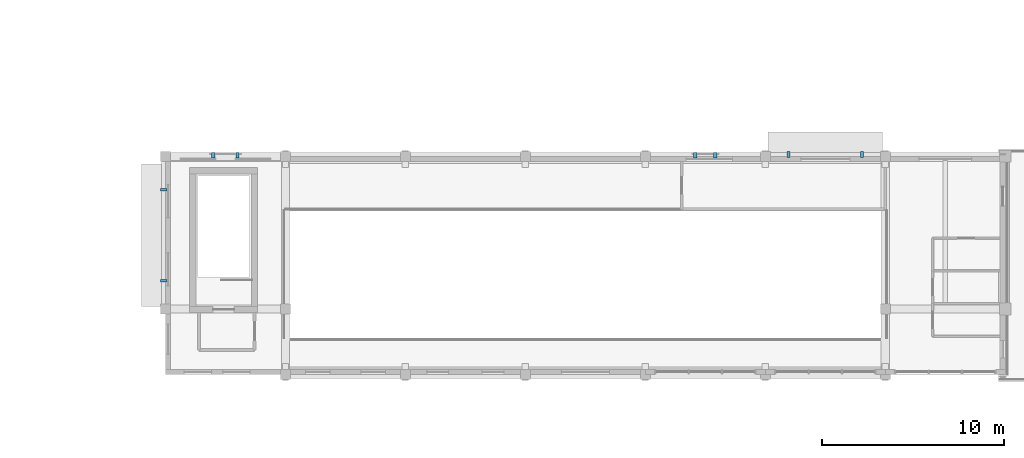
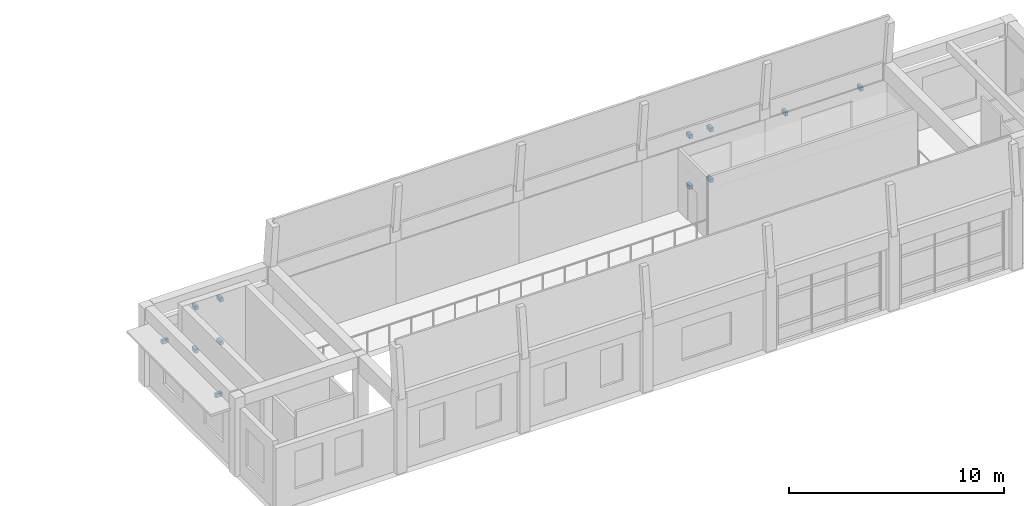
# One storey, part 39 of 50: 12 discrete accessories.
"""IFC4 building model written with IfcOpenShell, lengths in metres."""

from ifc_helpers import new_model, si_unit, direction, frame, origin, origin_2d, place, context, subcontext, project, spatial, rectangle, extrude, material, type_object, element, save


model = new_model("IFC4")

# Units and contexts
model_context = context("Model", 3, precision=1e-05, world=origin(), true_north=direction((0.0, 1.0)))
body_context = subcontext(model_context, "Body", "Model", "MODEL_VIEW")
ifc_project = project(units=[si_unit("LENGTHUNIT", "METRE"), si_unit("AREAUNIT", "SQUARE_METRE"), si_unit("VOLUMEUNIT", "CUBIC_METRE"), si_unit("PLANEANGLEUNIT", "RADIAN"), si_unit("MASSUNIT", "GRAM", prefix="KILO")], contexts=[model_context])

# Site, building, storey
site_placement = place(None, origin())
site = spatial("IfcSite", under=ifc_project, at=site_placement, CompositionType="ELEMENT")
building_placement = place(site_placement, origin())
building = spatial("IfcBuilding", under=site, at=building_placement, Name="Kolvaren Faculty of Natural Sciences", CompositionType="ELEMENT")
storey_placement = place(building_placement, frame((0.0, 0.0, 15.0)))
storey = spatial("IfcBuildingStorey", under=building, at=storey_placement, Name="L03", CompositionType="ELEMENT", Elevation=15.0)

# Discrete accessories
ifc_material = material(Name="Structural steel EN 10025-2 S355J2", Category="steel")
discrete_accessory_type = type_object("IfcDiscreteAccessoryType", Name="FacadeSupportBracket_260", PredefinedType="BRACKET", material=ifc_material)
for number, where, z_axis, x_axis, name in (
    (1, (59.5, 77.357666015625, 3.4150390625), (0.0, 0.0, 1.0), (0.0, 1.0, 0.0), "L03 chhajja hood steel bracket"),
    (2, (59.5, 82.3623046875, 3.4150390625), (0.0, 0.0, 1.0), (0.0, 1.0, 0.0), "L03 chhajja hood steel bracket"),
):
    element("IfcDiscreteAccessory", number, at=place(storey_placement, frame(where, z_axis=z_axis, x_axis=x_axis)), inside=storey, type_object=discrete_accessory_type, Name=name, PredefinedType="BRACKET", context=body_context, shape_type="SweptSolid", body=[
        extrude(rectangle(XDim=0.159912109375, YDim=0.340087890625, at=origin_2d()), origin(), (0.0, 0.0, 1.0), 0.219970703125),
    ])
for number, where, z_axis, x_axis, name in (
    (3, (62.235107421875, 84.260009765625, 0.81982421875), (0.0, 0.0, 1.0), (1.0, 0.0, 0.0), "L03 jali screen wall bracket"),
    (4, (63.56494140625, 84.260009765625, 0.81982421875), (0.0, 0.0, 1.0), (1.0, 0.0, 0.0), "L03 jali screen wall bracket"),
    (5, (62.235107421875, 84.260009765625, 3.26025390625), (0.0, 0.0, 1.0), (1.0, 0.0, 0.0), "L03 jali screen wall bracket"),
    (6, (63.56494140625, 84.260009765625, 3.26025390625), (0.0, 0.0, 1.0), (1.0, 0.0, 0.0), "L03 jali screen wall bracket"),
    (7, (88.7490234375, 84.260009765625, 0.81982421875), (0.0, 0.0, 1.0), (1.0, 0.0, 0.0), "L03 jali screen wall bracket"),
    (8, (89.85107421875, 84.260009765625, 0.81982421875), (0.0, 0.0, 1.0), (1.0, 0.0, 0.0), "L03 jali screen wall bracket"),
    (9, (88.7490234375, 84.260009765625, 3.69482421875), (0.0, 0.0, 1.0), (1.0, 0.0, 0.0), "L03 jali screen wall bracket"),
    (10, (89.85107421875, 84.260009765625, 3.69482421875), (0.0, 0.0, 1.0), (1.0, 0.0, 0.0), "L03 jali screen wall bracket"),
):
    element("IfcDiscreteAccessory", number, at=place(storey_placement, frame(where, z_axis=z_axis, x_axis=x_axis)), inside=storey, type_object=discrete_accessory_type, Name=name, PredefinedType="BRACKET", context=body_context, shape_type="SweptSolid", body=[
        extrude(rectangle(XDim=0.179931640625, YDim=0.320068359375, at=origin_2d()), origin(), (0.0, 0.0, 1.0), 0.219970703125),
    ])
for number, where, z_axis, x_axis, name in (
    (11, (93.884033203125, 84.300048828125, 3.1650390625), (0.0, 0.0, 1.0), (1.0, 0.0, 0.0), "L03 chhajja hood steel bracket"),
    (12, (97.916015625, 84.300048828125, 3.1650390625), (0.0, 0.0, 1.0), (1.0, 0.0, 0.0), "L03 chhajja hood steel bracket"),
):
    element("IfcDiscreteAccessory", number, at=place(storey_placement, frame(where, z_axis=z_axis, x_axis=x_axis)), inside=storey, type_object=discrete_accessory_type, Name=name, PredefinedType="BRACKET", context=body_context, shape_type="SweptSolid", body=[
        extrude(rectangle(XDim=0.159912109375, YDim=0.340087890625, at=origin_2d()), origin(), (0.0, 0.0, 1.0), 0.219970703125),
    ])

save(model, "model.ifc")
